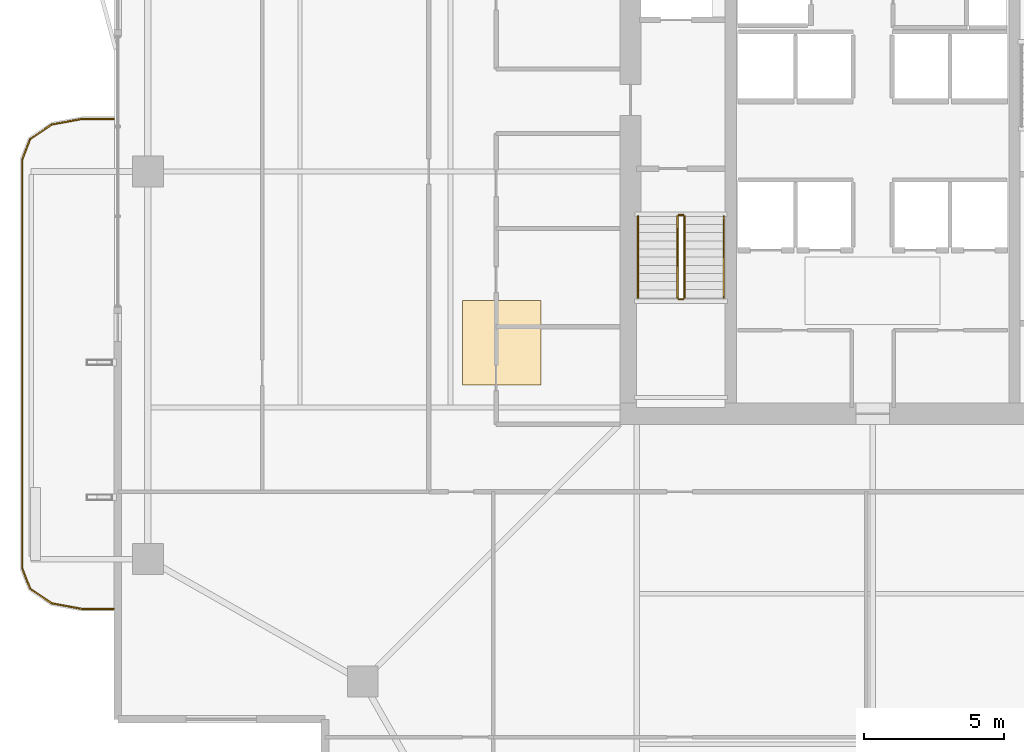
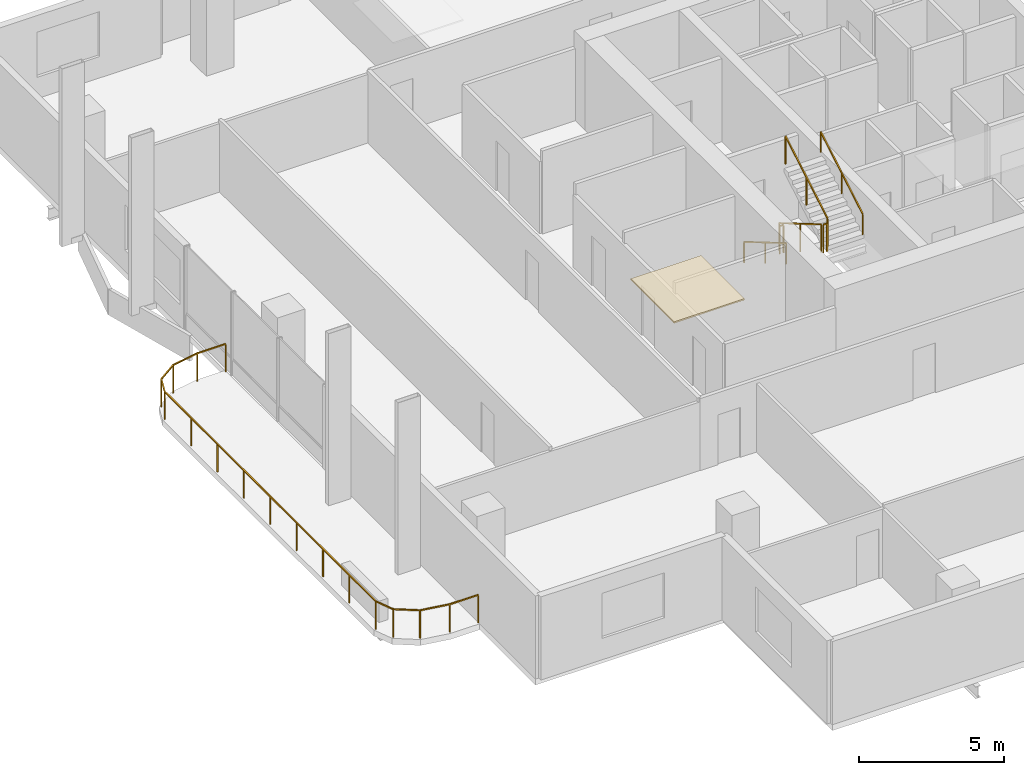
# One storey, part 21 of 24: 7 railings, 1 covering.
"""IFC4 building model written with IfcOpenShell, lengths in metres."""

from ifc_helpers import new_model, si_unit, direction, frame, origin, origin_2d, place, context, subcontext, project, spatial, polyline, rectangle, outline, extrude, material, layer, layer_set, type_object, element, save


model = new_model("IFC4")

# Units and contexts
model_context = context("Model", 3, precision=1e-05, world=origin(), true_north=direction((0.0, 1.0)))
body_context = subcontext(model_context, "Body", "Model", "MODEL_VIEW")
ifc_project = project(units=[si_unit("LENGTHUNIT", "METRE"), si_unit("AREAUNIT", "SQUARE_METRE"), si_unit("VOLUMEUNIT", "CUBIC_METRE"), si_unit("PLANEANGLEUNIT", "RADIAN"), si_unit("MASSUNIT", "GRAM", prefix="KILO")], contexts=[model_context])

# Site, building, storey
site_placement = place(None, origin())
site = spatial("IfcSite", under=ifc_project, at=site_placement, CompositionType="ELEMENT")
building_placement = place(site_placement, origin())
building = spatial("IfcBuilding", under=site, at=building_placement, Name="Belovzor Exchange Tower", CompositionType="ELEMENT")
storey_placement = place(building_placement, frame((0.0, 0.0, 226.199951171875)))
storey = spatial("IfcBuildingStorey", under=building, at=storey_placement, Name="L56", CompositionType="ELEMENT", Elevation=226.199951171875)

# Railings
ifc_material_1 = material(Name="Stainless Steel Grade 304", Category="steel")
railing_type_1 = type_object("IfcRailingType", Name="Brushed Stainless Steel Stair Handrail 900", PredefinedType="HANDRAIL", material=ifc_material_1)
railing_1_placement = place(storey_placement, frame((20.449951171875, 27.199951171875, 0.17041015625)))
element("IfcRailing", 1, at=railing_1_placement, inside=storey, type_object=railing_type_1, Name="L56 ST-1 stair handrail 1", PredefinedType="HANDRAIL", context=body_context, shape_type="SweptSolid", body=[
    extrude(rectangle(XDim=0.048095703125, YDim=0.048095703125, at=origin_2d()), frame((0.0, 0.0, 0.8759765625), z_axis=(0.0, -0.86209462966, 0.506747323142), x_axis=(1.0, 0.0, 0.0)), (0.0, 0.0, 1.0), 3.36376953125),
    extrude(rectangle(XDim=0.0419921875, YDim=0.0419921875, at=origin_2d()), origin(), (0.0, 0.0, 1.0), 0.851806640625),
    extrude(rectangle(XDim=0.0419921875, YDim=0.0419921875, at=origin_2d()), frame((0.0, -1.449951171875, 0.852294921875)), (0.0, 0.0, 1.0), 0.851806640625),
    extrude(rectangle(XDim=0.0419921875, YDim=0.0419921875, at=origin_2d()), frame((0.0, -2.89990234375, 1.70458984375)), (0.0, 0.0, 1.0), 0.851806640625),
])
railing_2_placement = place(storey_placement, frame((23.5, 24.300048828125, 2.04541015625)))
element("IfcRailing", 2, at=railing_2_placement, inside=storey, type_object=railing_type_1, Name="L56 ST-1 stair handrail 2", PredefinedType="HANDRAIL", context=body_context, shape_type="SweptSolid", body=[
    extrude(rectangle(XDim=0.048095703125, YDim=0.048095703125, at=origin_2d()), frame((0.0, 0.0, 0.8759765625), z_axis=(0.0, 0.86209462966, 0.506747323142), x_axis=(-1.0, 0.0, 0.0)), (0.0, 0.0, 1.0), 3.36376953125),
    extrude(rectangle(XDim=0.0419921875, YDim=0.0419921875, at=origin_2d()), origin(), (0.0, 0.0, 1.0), 0.851806640625),
    extrude(rectangle(XDim=0.0419921875, YDim=0.0419921875, at=origin_2d()), frame((0.0, 1.449951171875, 0.852294921875)), (0.0, 0.0, 1.0), 0.851806640625),
    extrude(rectangle(XDim=0.0419921875, YDim=0.0419921875, at=origin_2d()), frame((0.0, 2.89990234375, 1.70458984375)), (0.0, 0.0, 1.0), 0.851806640625),
])
ifc_material_2 = material(Name="Stainless Steel and Laminated Safety Glass", Category="steel")
railing_type_2 = type_object("IfcRailingType", Name="Laminated Glass & Stainless Steel Balcony Balustrade 1200", PredefinedType="BALUSTRADE", material=ifc_material_2)
railing_3_placement = place(storey_placement, frame((1.7900390625, 30.669921875, 0.0)))
element("IfcRailing", 3, at=railing_3_placement, inside=storey, type_object=railing_type_2, Name="GR-1 Balcony Balustrade L56 West", PredefinedType="BALUSTRADE", context=body_context, shape_type="SweptSolid", body=[
    extrude(rectangle(XDim=0.048095703125, YDim=0.048095703125, at=origin_2d()), frame((0.0, 0.0, 1.17578125), z_axis=(-1.0, 0.0, 0.0), x_axis=(0.0, -1.0, 0.0)), (0.0, 0.0, 1.0), 1.133056640625),
    extrude(rectangle(XDim=0.048095703125, YDim=0.048095703125, at=origin_2d()), frame((-1.133056640625, 0.0, 1.17578125), z_axis=(-0.983644145941, -0.180122719713, 0.0), x_axis=(0.180122719713, -0.983644145941, 0.0)), (0.0, 0.0, 1.0), 1.09375),
    extrude(rectangle(XDim=0.048095703125, YDim=0.048095703125, at=origin_2d()), frame((-2.208984375, -0.197021484375, 1.17578125), z_axis=(-0.826614792125, -0.562768145367, 0.0), x_axis=(0.562768145367, -0.826614792125, 0.0)), (0.0, 0.0, 1.0), 0.9326171875),
    extrude(rectangle(XDim=0.048095703125, YDim=0.048095703125, at=origin_2d()), frame((-2.97998046875, -0.721923828125, 1.17578125), z_axis=(-0.365612923861, -0.930766990125, 0.0), x_axis=(0.930766990125, -0.365612923861, 0.0)), (0.0, 0.0, 1.0), 0.765869140625),
    extrude(rectangle(XDim=0.048095703125, YDim=0.048095703125, at=origin_2d()), frame((-3.260009765625, -1.434814453125, 1.17578125), z_axis=(0.0, -1.0, 0.0), x_axis=(1.0, 0.0, 0.0)), (0.0, 0.0, 1.0), 14.570068359375),
    extrude(rectangle(XDim=0.048095703125, YDim=0.048095703125, at=origin_2d()), frame((-3.260009765625, -16.0048828125, 1.17578125), z_axis=(0.365504480807, -0.930809580156, 0.0), x_axis=(0.930809580156, 0.365504480807, 0.0)), (0.0, 0.0, 1.0), 0.76611328125),
    extrude(rectangle(XDim=0.048095703125, YDim=0.048095703125, at=origin_2d()), frame((-2.97998046875, -16.718017578125, 1.17578125), z_axis=(0.826614792125, -0.562768145367, 0.0), x_axis=(0.562768145367, 0.826614792125, 0.0)), (0.0, 0.0, 1.0), 0.9326171875),
    extrude(rectangle(XDim=0.048095703125, YDim=0.048095703125, at=origin_2d()), frame((-2.208984375, -17.242919921875, 1.17578125), z_axis=(0.983644145941, -0.180122719713, 0.0), x_axis=(0.180122719713, 0.983644145941, 0.0)), (0.0, 0.0, 1.0), 1.09375),
    extrude(rectangle(XDim=0.048095703125, YDim=0.048095703125, at=origin_2d()), frame((-1.133056640625, -17.43994140625, 1.17578125), z_axis=(1.0, 0.0, 0.0), x_axis=(0.0, 1.0, 0.0)), (0.0, 0.0, 1.0), 1.133056640625),
    extrude(rectangle(XDim=0.0419921875, YDim=0.0419921875, at=origin_2d()), origin(), (0.0, 0.0, 1.0), 1.15185546875),
    extrude(rectangle(XDim=0.0419921875, YDim=0.0419921875, at=origin_2d()), frame((-1.133056640625, 0.0, 0.0)), (0.0, 0.0, 1.0), 1.15185546875),
    extrude(rectangle(XDim=0.0419921875, YDim=0.0419921875, at=origin_2d()), frame((-2.208984375, -0.197021484375, 0.0)), (0.0, 0.0, 1.0), 1.15185546875),
    extrude(rectangle(XDim=0.0419921875, YDim=0.0419921875, at=origin_2d()), frame((-2.97998046875, -0.721923828125, 0.0)), (0.0, 0.0, 1.0), 1.15185546875),
    extrude(rectangle(XDim=0.0419921875, YDim=0.0419921875, at=origin_2d()), frame((-3.260009765625, -1.434814453125, 0.0)), (0.0, 0.0, 1.0), 1.15185546875),
    extrude(rectangle(XDim=0.0419921875, YDim=0.0419921875, at=origin_2d()), frame((-3.260009765625, -3.256103515625, 0.0)), (0.0, 0.0, 1.0), 1.15185546875),
    extrude(rectangle(XDim=0.0419921875, YDim=0.0419921875, at=origin_2d()), frame((-3.260009765625, -5.077392578125, 0.0)), (0.0, 0.0, 1.0), 1.15185546875),
    extrude(rectangle(XDim=0.0419921875, YDim=0.0419921875, at=origin_2d()), frame((-3.260009765625, -6.898681640625, 0.0)), (0.0, 0.0, 1.0), 1.15185546875),
    extrude(rectangle(XDim=0.0419921875, YDim=0.0419921875, at=origin_2d()), frame((-3.260009765625, -8.7197265625, 0.0)), (0.0, 0.0, 1.0), 1.15185546875),
    extrude(rectangle(XDim=0.0419921875, YDim=0.0419921875, at=origin_2d()), frame((-3.260009765625, -10.541015625, 0.0)), (0.0, 0.0, 1.0), 1.15185546875),
    extrude(rectangle(XDim=0.0419921875, YDim=0.0419921875, at=origin_2d()), frame((-3.260009765625, -12.3623046875, 0.0)), (0.0, 0.0, 1.0), 1.15185546875),
    extrude(rectangle(XDim=0.0419921875, YDim=0.0419921875, at=origin_2d()), frame((-3.260009765625, -14.18359375, 0.0)), (0.0, 0.0, 1.0), 1.15185546875),
    extrude(rectangle(XDim=0.0419921875, YDim=0.0419921875, at=origin_2d()), frame((-3.260009765625, -16.0048828125, 0.0)), (0.0, 0.0, 1.0), 1.15185546875),
    extrude(rectangle(XDim=0.0419921875, YDim=0.0419921875, at=origin_2d()), frame((-2.97998046875, -16.718017578125, 0.0)), (0.0, 0.0, 1.0), 1.15185546875),
    extrude(rectangle(XDim=0.0419921875, YDim=0.0419921875, at=origin_2d()), frame((-2.208984375, -17.242919921875, 0.0)), (0.0, 0.0, 1.0), 1.15185546875),
    extrude(rectangle(XDim=0.0419921875, YDim=0.0419921875, at=origin_2d()), frame((-1.133056640625, -17.43994140625, 0.0)), (0.0, 0.0, 1.0), 1.15185546875),
    extrude(rectangle(XDim=0.0419921875, YDim=0.0419921875, at=origin_2d()), frame((0.0, -17.43994140625, 0.0)), (0.0, 0.0, 1.0), 1.15185546875),
])
ifc_material_3 = material(Name="Steel S355", Category="steel")
railing_type_3 = type_object("IfcRailingType", Name="Painted Steel Stairwell Guardrail 1200", PredefinedType="GUARDRAIL", material=ifc_material_3)
railing_4_placement = place(storey_placement, frame((21.85009765625, 27.199951171875, 0.17041015625)))
element("IfcRailing", 4, at=railing_4_placement, inside=storey, type_object=railing_type_3, Name="L56 ST-1 stair guard 1", PredefinedType="GUARDRAIL", context=body_context, shape_type="SweptSolid", body=[
    extrude(rectangle(XDim=0.048095703125, YDim=0.048095703125, at=origin_2d()), frame((0.0, 0.0, 1.17578125), z_axis=(0.0, -0.86209462966, 0.506747323142), x_axis=(1.0, 0.0, 0.0)), (0.0, 0.0, 1.0), 3.36376953125),
    extrude(rectangle(XDim=0.0419921875, YDim=0.0419921875, at=origin_2d()), origin(), (0.0, 0.0, 1.0), 1.15185546875),
    extrude(rectangle(XDim=0.0419921875, YDim=0.0419921875, at=origin_2d()), frame((0.0, -1.449951171875, 0.852294921875)), (0.0, 0.0, 1.0), 1.15185546875),
    extrude(rectangle(XDim=0.0419921875, YDim=0.0419921875, at=origin_2d()), frame((0.0, -2.89990234375, 1.70458984375)), (0.0, 0.0, 1.0), 1.15185546875),
])
railing_5_placement = place(storey_placement, frame((21.89990234375, 24.25, 1.875)))
element("IfcRailing", 5, at=railing_5_placement, inside=storey, type_object=railing_type_3, Name="L56 ST-1 stair guard 2", PredefinedType="GUARDRAIL", context=body_context, shape_type="SweptSolid", body=[
    extrude(rectangle(XDim=0.048095703125, YDim=0.048095703125, at=origin_2d()), frame((0.0, 0.0, 1.17578125), z_axis=(1.0, 0.0, 0.0), x_axis=(0.0, 1.0, 0.0)), (0.0, 0.0, 1.0), 0.150146484375),
    extrude(rectangle(XDim=0.0419921875, YDim=0.0419921875, at=origin_2d()), origin(), (0.0, 0.0, 1.0), 1.15185546875),
    extrude(rectangle(XDim=0.0419921875, YDim=0.0419921875, at=origin_2d()), frame((0.150146484375, 0.0, 0.0)), (0.0, 0.0, 1.0), 1.15185546875),
])
railing_6_placement = place(storey_placement, frame((22.10009765625, 24.300048828125, 2.04541015625)))
element("IfcRailing", 6, at=railing_6_placement, inside=storey, type_object=railing_type_3, Name="L56 ST-1 stair guard 3", PredefinedType="GUARDRAIL", context=body_context, shape_type="SweptSolid", body=[
    extrude(rectangle(XDim=0.048095703125, YDim=0.048095703125, at=origin_2d()), frame((0.0, 0.0, 1.17578125), z_axis=(0.0, 0.86209462966, 0.506747323142), x_axis=(-1.0, 0.0, 0.0)), (0.0, 0.0, 1.0), 3.36376953125),
    extrude(rectangle(XDim=0.0419921875, YDim=0.0419921875, at=origin_2d()), origin(), (0.0, 0.0, 1.0), 1.15185546875),
    extrude(rectangle(XDim=0.0419921875, YDim=0.0419921875, at=origin_2d()), frame((0.0, 1.449951171875, 0.852294921875)), (0.0, 0.0, 1.0), 1.15185546875),
    extrude(rectangle(XDim=0.0419921875, YDim=0.0419921875, at=origin_2d()), frame((0.0, 2.89990234375, 1.70458984375)), (0.0, 0.0, 1.0), 1.15185546875),
])
railing_7_placement = place(storey_placement, frame((21.89990234375, 27.25, 0.0)))
element("IfcRailing", 7, at=railing_7_placement, inside=storey, type_object=railing_type_3, Name="L56 ST-1 stair guard 4", PredefinedType="GUARDRAIL", context=body_context, shape_type="SweptSolid", body=[
    extrude(rectangle(XDim=0.048095703125, YDim=0.048095703125, at=origin_2d()), frame((0.0, 0.0, 1.17578125), z_axis=(1.0, 0.0, 0.0), x_axis=(0.0, 1.0, 0.0)), (0.0, 0.0, 1.0), 0.150146484375),
    extrude(rectangle(XDim=0.0419921875, YDim=0.0419921875, at=origin_2d()), origin(), (0.0, 0.0, 1.0), 1.15185546875),
    extrude(rectangle(XDim=0.0419921875, YDim=0.0419921875, at=origin_2d()), frame((0.150146484375, 0.0, 0.0)), (0.0, 0.0, 1.0), 1.15185546875),
])

# Covering
ifc_material_4 = material(Name="Perforated Powder-Coated Aluminium", Category="aluminium")
ifc_layer = layer(ifc_material_4, 0.06005859375)
ifc_layer_set = layer_set([ifc_layer], Name="Perforated Powder-Coated Aluminium")
covering_type = type_object("IfcCoveringType", Name="Perforated Acoustic Metal Tile Suspended Ceiling 60", PredefinedType="CEILING", material=ifc_layer_set)
covering_placement = place(storey_placement, frame((0.0, 0.0, 3.43994140625)))
element("IfcCovering", 8, at=covering_placement, inside=storey, type_object=covering_type, Name="CLG-AC60 Suspended Ceiling CLG-L56-Z3", PredefinedType="CEILING", context=body_context, shape_type="SweptSolid", body=[
    extrude(outline(polyline([(14.199951171875, 21.199951171875), (17.0, 21.199951171875), (17.0, 24.199951171875), (14.199951171875, 24.199951171875), (14.199951171875, 21.199951171875)])), origin(), (0.0, 0.0, 1.0), 0.06005859375),
])

save(model, "model.ifc")
